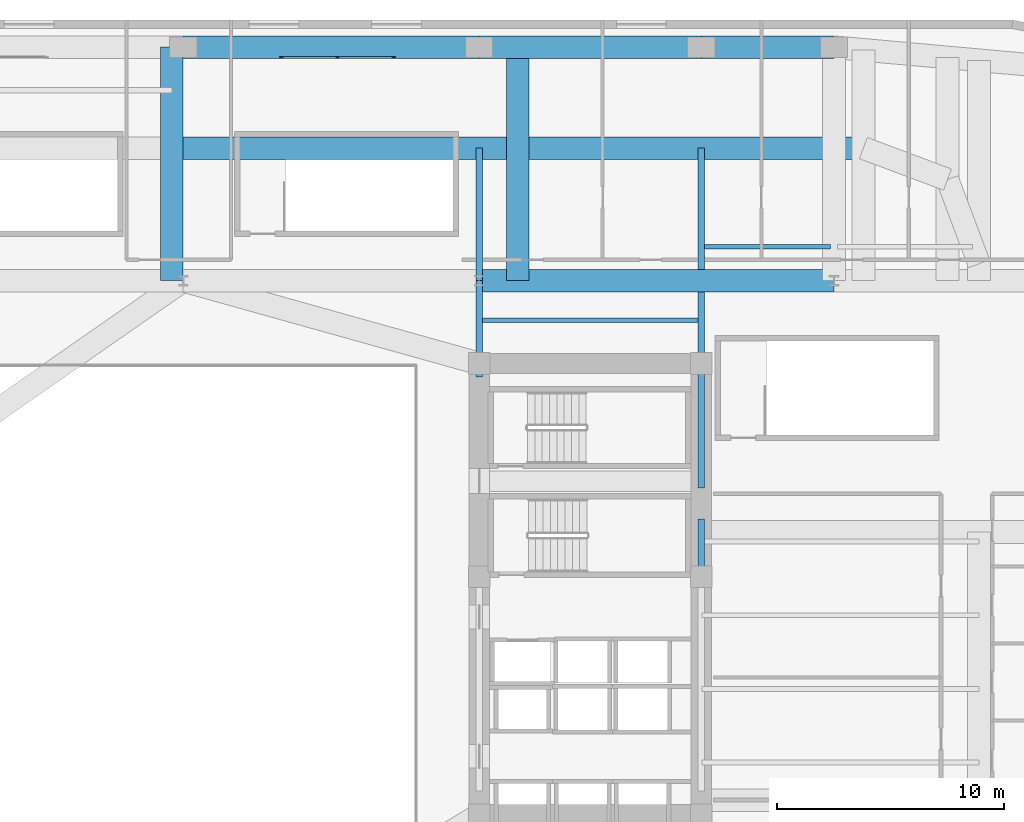
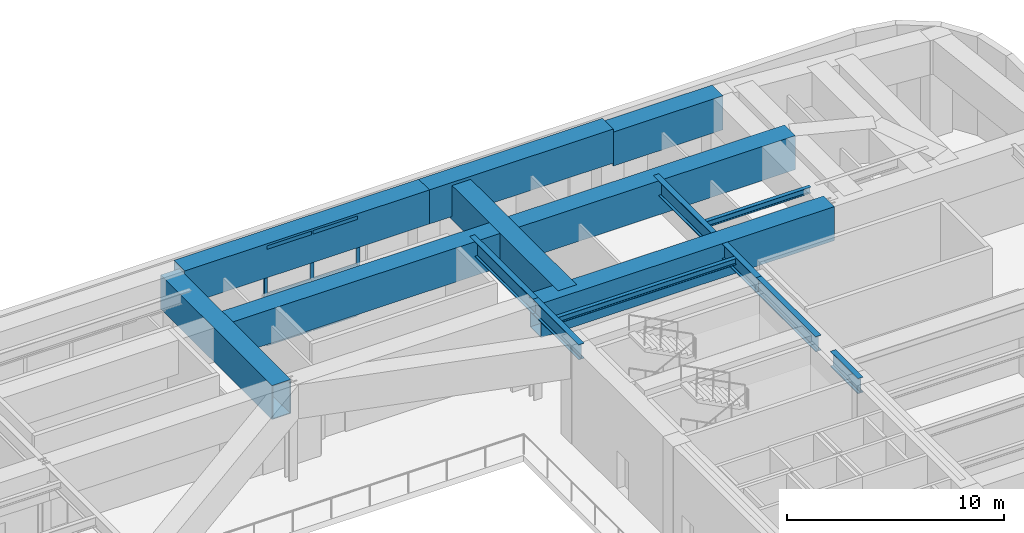
# One storey, part 4 of 16: 16 beams, 9 members, 1 element without a shape of its own.
"""IFC4 building model written with IfcOpenShell, lengths in metres."""

from ifc_helpers import new_model, si_unit, direction, frame, origin, origin_2d, place, context, subcontext, project, spatial, rectangle, hollow_rectangle, i_section, extrude, material, material_profile, profile_set, type_object, element, aggregate, save


model = new_model("IFC4")

# Units and contexts
model_context = context("Model", 3, precision=1e-05, world=origin(), true_north=direction((0.0, 1.0)))
body_context = subcontext(model_context, "Body", "Model", "MODEL_VIEW")
ifc_project = project(units=[si_unit("LENGTHUNIT", "METRE"), si_unit("AREAUNIT", "SQUARE_METRE"), si_unit("VOLUMEUNIT", "CUBIC_METRE"), si_unit("PLANEANGLEUNIT", "RADIAN"), si_unit("MASSUNIT", "GRAM", prefix="KILO")], contexts=[model_context])

# Site, building, storey
site_placement = place(None, origin())
site = spatial("IfcSite", under=ifc_project, at=site_placement, CompositionType="ELEMENT")
building_placement = place(site_placement, origin())
building = spatial("IfcBuilding", under=site, at=building_placement, Name="Kolvaren Arena Tower", CompositionType="ELEMENT")
storey_placement = place(building_placement, frame((0.0, 0.0, 28.0)))
storey = spatial("IfcBuildingStorey", under=building, at=storey_placement, Name="L05", CompositionType="ELEMENT", Elevation=28.0)

# Curtain wall, members
ifc_material_1 = material(Name="Anodised aluminium unitised curtain wall", Category="aluminium")
curtain_wall_type = type_object("IfcCurtainWallType", Name="CW-SYS-07", PredefinedType="USERDEFINED", material=ifc_material_1)
curtain_wall_placement = place(storey_placement, origin())
curtain_wall = element("IfcCurtainWall", 1, at=curtain_wall_placement, inside=storey, type_object=curtain_wall_type, Name="Crown Clerestory Curtain Wall (L05)", ObjectType="UNITISED CURTAIN WALL", PredefinedType="USERDEFINED")
ifc_material_2 = material(Name="Anodised aluminium 6063-T6", Category="aluminium")
ifc_material_profile_1 = material_profile(ifc_material_2, rectangle(XDim=0.080078125, YDim=0.179931640625, at=origin_2d()), Name="ALU-80x180")
ifc_profile_set_1 = profile_set([ifc_material_profile_1], Name="Anodised aluminium 6063-T6")
member_type_1 = type_object("IfcMemberType", Name="CWM-STD", PredefinedType="MULLION", material=ifc_profile_set_1)
member_1_placement = place(storey_placement, frame((41.840087890625, 52.85009765625, 0.0), z_axis=(0.0, 0.0, 1.0), x_axis=(0.0, 1.0, 0.0)))
member_1 = element("IfcMember", 2, at=member_1_placement, type_object=member_type_1, Name="CW7 mullion 1", PredefinedType="MULLION", context=body_context, shape_type="SweptSolid", body=[
    extrude(rectangle(XDim=0.080078125, YDim=0.179931640625, at=origin_2d()), origin(), (0.0, 0.0, 1.0), 5.550048828125),
])
member_2_placement = place(storey_placement, frame((44.300048828125, 52.85009765625, 0.0), z_axis=(0.0, 0.0, 1.0), x_axis=(0.0, 1.0, 0.0)))
member_2 = element("IfcMember", 3, at=member_2_placement, type_object=member_type_1, Name="CW7 mullion 2", PredefinedType="MULLION", context=body_context, shape_type="SweptSolid", body=[
    extrude(rectangle(XDim=0.080078125, YDim=0.179931640625, at=origin_2d()), origin(), (0.0, 0.0, 1.0), 5.550048828125),
])
member_3_placement = place(storey_placement, frame((46.760009765625, 52.85009765625, 0.0), z_axis=(0.0, 0.0, 1.0), x_axis=(0.0, 1.0, 0.0)))
member_3 = element("IfcMember", 4, at=member_3_placement, type_object=member_type_1, Name="CW7 mullion 3", PredefinedType="MULLION", context=body_context, shape_type="SweptSolid", body=[
    extrude(rectangle(XDim=0.080078125, YDim=0.179931640625, at=origin_2d()), origin(), (0.0, 0.0, 1.0), 5.550048828125),
])
ifc_material_profile_2 = material_profile(ifc_material_2, rectangle(XDim=0.10009765625, YDim=0.199951171875, at=origin_2d()), Name="ALU-100x200")
ifc_profile_set_2 = profile_set([ifc_material_profile_2], Name="Anodised aluminium 6063-T6")
member_type_2 = type_object("IfcMemberType", Name="CWT-HVY", PredefinedType="USERDEFINED", material=ifc_profile_set_2)
member_4_placement = place(storey_placement, frame((41.8798828125, 52.85009765625, 0.050048828125), z_axis=(1.0, 0.0, 0.0), x_axis=(0.0, 1.0, 0.0)))
member_4 = element("IfcMember", 5, at=member_4_placement, type_object=member_type_2, Name="CW7 transom 1.1", ObjectType="TRANSOM", PredefinedType="USERDEFINED", context=body_context, shape_type="SweptSolid", body=[
    extrude(rectangle(XDim=0.10009765625, YDim=0.199951171875, at=origin_2d()), origin(), (0.0, 0.0, 1.0), 2.380126953125),
])
member_5_placement = place(storey_placement, frame((41.8798828125, 52.85009765625, 2.77490234375), z_axis=(1.0, 0.0, 0.0), x_axis=(0.0, 1.0, 0.0)))
member_5 = element("IfcMember", 6, at=member_5_placement, type_object=member_type_2, Name="CW7 transom 1.2", ObjectType="TRANSOM", PredefinedType="USERDEFINED", context=body_context, shape_type="SweptSolid", body=[
    extrude(rectangle(XDim=0.10009765625, YDim=0.199951171875, at=origin_2d()), origin(), (0.0, 0.0, 1.0), 2.380126953125),
])
member_6_placement = place(storey_placement, frame((41.8798828125, 52.85009765625, 5.5), z_axis=(1.0, 0.0, 0.0), x_axis=(0.0, 1.0, 0.0)))
member_6 = element("IfcMember", 7, at=member_6_placement, type_object=member_type_2, Name="CW7 transom 1.3", ObjectType="TRANSOM", PredefinedType="USERDEFINED", context=body_context, shape_type="SweptSolid", body=[
    extrude(rectangle(XDim=0.10009765625, YDim=0.199951171875, at=origin_2d()), origin(), (0.0, 0.0, 1.0), 2.380126953125),
])
member_7_placement = place(storey_placement, frame((44.340087890625, 52.85009765625, 0.050048828125), z_axis=(1.0, 0.0, 0.0), x_axis=(0.0, 1.0, 0.0)))
member_7 = element("IfcMember", 8, at=member_7_placement, type_object=member_type_2, Name="CW7 transom 2.1", ObjectType="TRANSOM", PredefinedType="USERDEFINED", context=body_context, shape_type="SweptSolid", body=[
    extrude(rectangle(XDim=0.10009765625, YDim=0.199951171875, at=origin_2d()), origin(), (0.0, 0.0, 1.0), 2.3798828125),
])
member_8_placement = place(storey_placement, frame((44.340087890625, 52.85009765625, 2.77490234375), z_axis=(1.0, 0.0, 0.0), x_axis=(0.0, 1.0, 0.0)))
member_8 = element("IfcMember", 9, at=member_8_placement, type_object=member_type_2, Name="CW7 transom 2.2", ObjectType="TRANSOM", PredefinedType="USERDEFINED", context=body_context, shape_type="SweptSolid", body=[
    extrude(rectangle(XDim=0.10009765625, YDim=0.199951171875, at=origin_2d()), origin(), (0.0, 0.0, 1.0), 2.3798828125),
])
member_9_placement = place(storey_placement, frame((44.340087890625, 52.85009765625, 5.5), z_axis=(1.0, 0.0, 0.0), x_axis=(0.0, 1.0, 0.0)))
member_9 = element("IfcMember", 10, at=member_9_placement, type_object=member_type_2, Name="CW7 transom 2.3", ObjectType="TRANSOM", PredefinedType="USERDEFINED", context=body_context, shape_type="SweptSolid", body=[
    extrude(rectangle(XDim=0.10009765625, YDim=0.199951171875, at=origin_2d()), origin(), (0.0, 0.0, 1.0), 2.3798828125),
])
aggregate(curtain_wall, [member_1, member_2, member_3, member_4, member_5, member_6, member_7, member_8, member_9])

# Beams
ifc_material_3 = material(Name="Steel CSA G40.21 350W", Category="steel")
ifc_material_profile_3 = material_profile(ifc_material_3, i_section(OverallWidth=0.2919921875, OverallDepth=0.85498046875, WebThickness=0.02099609375, FlangeThickness=0.03564453125, FilletRadius=0.01806640625, at=origin_2d()), Name="W840x299")
ifc_profile_set_3 = profile_set([ifc_material_profile_3], Name="Steel CSA G40.21 350W")
beam_type_1 = type_object("IfcBeamType", Name="GIRD-P1", PredefinedType="BEAM", material=ifc_profile_set_3)
beam_1_placement = place(storey_placement, frame((50.550048828125, 38.760009765625, 5.12255859375), z_axis=(0.0, 1.0, 0.0), x_axis=(-1.0, 0.0, 0.0)))
element("IfcBeam", 11, at=beam_1_placement, inside=storey, type_object=beam_type_1, Name="Primary Floor Girder (L05)", PredefinedType="BEAM", context=body_context, shape_type="SweptSolid", body=[
    extrude(i_section(OverallWidth=0.2919921875, OverallDepth=0.85498046875, WebThickness=0.02099609375, FlangeThickness=0.03564453125, FilletRadius=0.01806640625, at=origin_2d()), origin(), (0.0, 0.0, 1.0), 4.239990234375),
])
beam_2_placement = place(storey_placement, frame((50.550048828125, 43.0, 5.12255859375), z_axis=(0.0, 1.0, 0.0), x_axis=(-1.0, 0.0, 0.0)))
element("IfcBeam", 12, at=beam_2_placement, inside=storey, type_object=beam_type_1, Name="Primary Floor Girder (L05)", PredefinedType="BEAM", context=body_context, shape_type="SweptSolid", body=[
    extrude(i_section(OverallWidth=0.2919921875, OverallDepth=0.85498046875, WebThickness=0.02099609375, FlangeThickness=0.03564453125, FilletRadius=0.01806640625, at=origin_2d()), origin(), (0.0, 0.0, 1.0), 5.85009765625),
])
beam_3_placement = place(storey_placement, frame((60.35009765625, 29.949951171875, 5.12255859375), z_axis=(0.0, 1.0, 0.0), x_axis=(-1.0, 0.0, 0.0)))
element("IfcBeam", 13, at=beam_3_placement, inside=storey, type_object=beam_type_1, Name="Primary Floor Girder (L05)", PredefinedType="BEAM", context=body_context, shape_type="SweptSolid", body=[
    extrude(i_section(OverallWidth=0.2919921875, OverallDepth=0.85498046875, WebThickness=0.02099609375, FlangeThickness=0.03564453125, FilletRadius=0.01806640625, at=origin_2d()), origin(), (0.0, 0.0, 1.0), 2.550048828125),
])
beam_4_placement = place(storey_placement, frame((60.35009765625, 33.85009765625, 5.12255859375), z_axis=(0.0, 1.0, 0.0), x_axis=(-1.0, 0.0, 0.0)))
element("IfcBeam", 14, at=beam_4_placement, inside=storey, type_object=beam_type_1, Name="Primary Floor Girder (L05)", PredefinedType="BEAM", context=body_context, shape_type="SweptSolid", body=[
    extrude(i_section(OverallWidth=0.2919921875, OverallDepth=0.85498046875, WebThickness=0.02099609375, FlangeThickness=0.03564453125, FilletRadius=0.01806640625, at=origin_2d()), origin(), (0.0, 0.0, 1.0), 5.5),
])
beam_5_placement = place(storey_placement, frame((60.35009765625, 39.35009765625, 5.12255859375), z_axis=(0.0, 1.0, 0.0), x_axis=(-1.0, 0.0, 0.0)))
element("IfcBeam", 15, at=beam_5_placement, inside=storey, type_object=beam_type_1, Name="Primary Floor Girder (L05)", PredefinedType="BEAM", context=body_context, shape_type="SweptSolid", body=[
    extrude(i_section(OverallWidth=0.2919921875, OverallDepth=0.85498046875, WebThickness=0.02099609375, FlangeThickness=0.03564453125, FilletRadius=0.01806640625, at=origin_2d()), origin(), (0.0, 0.0, 1.0), 3.14990234375),
])
beam_6_placement = place(storey_placement, frame((60.35009765625, 43.5, 5.12255859375), z_axis=(0.0, 1.0, 0.0), x_axis=(-1.0, 0.0, 0.0)))
element("IfcBeam", 16, at=beam_6_placement, inside=storey, type_object=beam_type_1, Name="Primary Floor Girder (L05)", PredefinedType="BEAM", context=body_context, shape_type="SweptSolid", body=[
    extrude(i_section(OverallWidth=0.2919921875, OverallDepth=0.85498046875, WebThickness=0.02099609375, FlangeThickness=0.03564453125, FilletRadius=0.01806640625, at=origin_2d()), origin(), (0.0, 0.0, 1.0), 5.35009765625),
])
ifc_material_profile_4 = material_profile(ifc_material_3, i_section(OverallWidth=0.202880859375, OverallDepth=0.346923828125, WebThickness=0.0078125, FlangeThickness=0.013427734375, FilletRadius=0.010986328125, at=origin_2d()), Name="W360x64")
ifc_profile_set_4 = profile_set([ifc_material_profile_4], Name="Steel CSA G40.21 350W")
beam_type_2 = type_object("IfcBeamType", Name="JOIST-01", PredefinedType="JOIST", material=ifc_profile_set_4)
beam_7_placement = place(storey_placement, frame((50.696044921875, 41.25, 5.37646484375), z_axis=(1.0, 0.0, 0.0), x_axis=(0.0, 1.0, 0.0)))
element("IfcBeam", 17, at=beam_7_placement, inside=storey, type_object=beam_type_2, Name="Composite Floor Joist (L05)", PredefinedType="JOIST", context=body_context, shape_type="SweptSolid", body=[
    extrude(i_section(OverallWidth=0.202880859375, OverallDepth=0.346923828125, WebThickness=0.0078125, FlangeThickness=0.013427734375, FilletRadius=0.010986328125, at=origin_2d()), origin(), (0.0, 0.0, 1.0), 9.508056640625),
])
beam_8_placement = place(storey_placement, frame((60.49609375, 44.5, 5.37646484375), z_axis=(1.0, 0.0, 0.0), x_axis=(0.0, 1.0, 0.0)))
element("IfcBeam", 18, at=beam_8_placement, inside=storey, type_object=beam_type_2, Name="Composite Floor Joist (L05)", PredefinedType="JOIST", context=body_context, shape_type="SweptSolid", body=[
    extrude(i_section(OverallWidth=0.202880859375, OverallDepth=0.346923828125, WebThickness=0.0078125, FlangeThickness=0.013427734375, FilletRadius=0.010986328125, at=origin_2d()), origin(), (0.0, 0.0, 1.0), 5.557861328125),
])
ifc_material_4 = material(Name="Steel CSA G40.21 350WT", Category="steel")
ifc_material_profile_5 = material_profile(ifc_material_4, hollow_rectangle(XDim=1.0, YDim=1.919921875, WallThickness=0.044921875, at=origin_2d()), Name="BOX 1000x1920x45")
ifc_profile_set_5 = profile_set([ifc_material_profile_5], Name="Steel CSA G40.21 350WT")
beam_type_3 = type_object("IfcBeamType", Name="TG-MEGA", PredefinedType="USERDEFINED", material=ifc_profile_set_5)
beam_9_placement = place(storey_placement, frame((66.199951171875, 53.300048828125, 4.590087890625), z_axis=(-1.0, 0.0, 0.0), x_axis=(0.0, -1.0, 0.0)))
element("IfcBeam", 19, at=beam_9_placement, inside=storey, type_object=beam_type_3, Name="Podium Perimeter Transfer Girder 14", ObjectType="TRANSFER GIRDER", PredefinedType="USERDEFINED", context=body_context, shape_type="SweptSolid", body=[
    extrude(hollow_rectangle(XDim=1.0, YDim=1.919921875, WallThickness=0.044921875, at=origin_2d()), origin(), (0.0, 0.0, 1.0), 5.849853515625),
])
beam_10_placement = place(storey_placement, frame((60.35009765625, 53.300048828125, 4.760009765625), z_axis=(-1.0, 0.0, 0.0), x_axis=(0.0, -1.0, 0.0)))
element("IfcBeam", 20, at=beam_10_placement, inside=storey, type_object=beam_type_3, Name="Podium Perimeter Transfer Girder 15", ObjectType="TRANSFER GIRDER", PredefinedType="USERDEFINED", context=body_context, shape_type="SweptSolid", body=[
    extrude(hollow_rectangle(XDim=1.0, YDim=1.919921875, WallThickness=0.044921875, at=origin_2d()), origin(), (0.0, 0.0, 1.0), 9.800048828125),
])
beam_11_placement = place(storey_placement, frame((50.550048828125, 53.300048828125, 4.760009765625), z_axis=(-1.0, 0.0, 0.0), x_axis=(0.0, -1.0, 0.0)))
element("IfcBeam", 21, at=beam_11_placement, inside=storey, type_object=beam_type_3, Name="Podium Perimeter Transfer Girder 16", ObjectType="TRANSFER GIRDER", PredefinedType="USERDEFINED", context=body_context, shape_type="SweptSolid", body=[
    extrude(hollow_rectangle(XDim=1.0, YDim=1.919921875, WallThickness=0.044921875, at=origin_2d()), origin(), (0.0, 0.0, 1.0), 13.050048828125),
])
beam_12_placement = place(storey_placement, frame((50.550048828125, 43.0, 4.590087890625), z_axis=(1.0, 0.0, 0.0), x_axis=(0.0, 1.0, 0.0)))
element("IfcBeam", 22, at=beam_12_placement, inside=storey, type_object=beam_type_3, Name="Interior Podium Transfer Girder 11", ObjectType="TRANSFER GIRDER", PredefinedType="USERDEFINED", context=body_context, shape_type="SweptSolid", body=[
    extrude(hollow_rectangle(XDim=1.0, YDim=1.919921875, WallThickness=0.044921875, at=origin_2d()), origin(), (0.0, 0.0, 1.0), 15.64990234375),
])
for number, where, z_axis, x_axis, name in (
    (23, (52.25, 43.0, 4.590087890625), (0.0, 1.0, 0.0), (-1.0, 0.0, 0.0), "Podium-to-Tower Transfer Girder 13"),
    (24, (37.0, 43.0, 4.590087890625), (0.0, 1.0, 0.0), (-1.0, 0.0, 0.0), "Podium-to-Tower Transfer Girder 14"),
):
    element("IfcBeam", number, at=place(storey_placement, frame(where, z_axis=z_axis, x_axis=x_axis)), inside=storey, type_object=beam_type_3, Name=name, ObjectType="TRANSFER GIRDER", PredefinedType="USERDEFINED", context=body_context, shape_type="SweptSolid", body=[
        extrude(hollow_rectangle(XDim=1.0, YDim=1.919921875, WallThickness=0.044921875, at=origin_2d()), origin(), (0.0, 0.0, 1.0), 10.300048828125),
    ])
for number, where, z_axis, x_axis, name in (
    (25, (67.5, 48.85009765625, 4.590087890625), (-1.0, 0.0, 0.0), (0.0, -1.0, 0.0), "Podium-to-Tower Transfer Ring Girder 12"),
    (26, (52.25, 48.85009765625, 4.590087890625), (-1.0, 0.0, 0.0), (0.0, -1.0, 0.0), "Podium-to-Tower Transfer Ring Girder 13"),
):
    element("IfcBeam", number, at=place(storey_placement, frame(where, z_axis=z_axis, x_axis=x_axis)), inside=storey, type_object=beam_type_3, Name=name, ObjectType="TRANSFER GIRDER", PredefinedType="USERDEFINED", context=body_context, shape_type="SweptSolid", body=[
        extrude(hollow_rectangle(XDim=1.0, YDim=1.919921875, WallThickness=0.044921875, at=origin_2d()), origin(), (0.0, 0.0, 1.0), 15.25),
    ])

save(model, "model.ifc")
